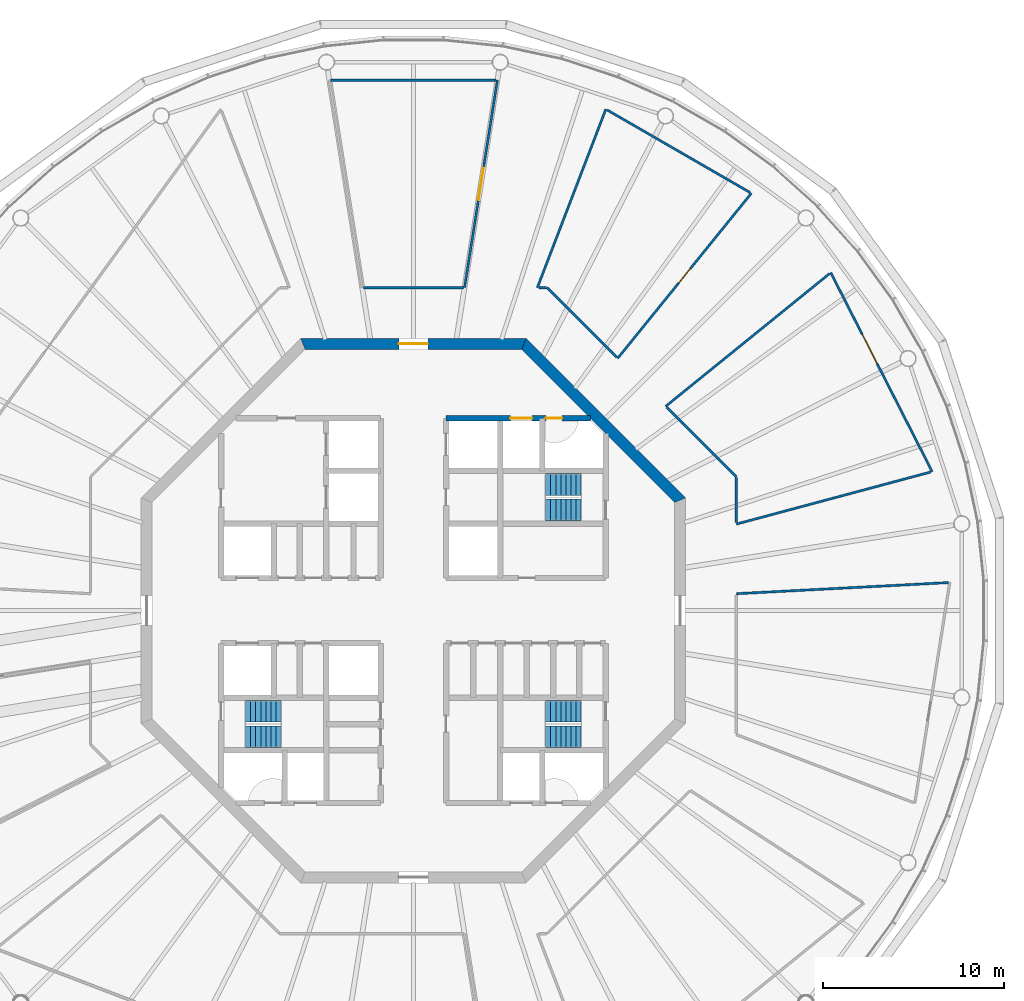
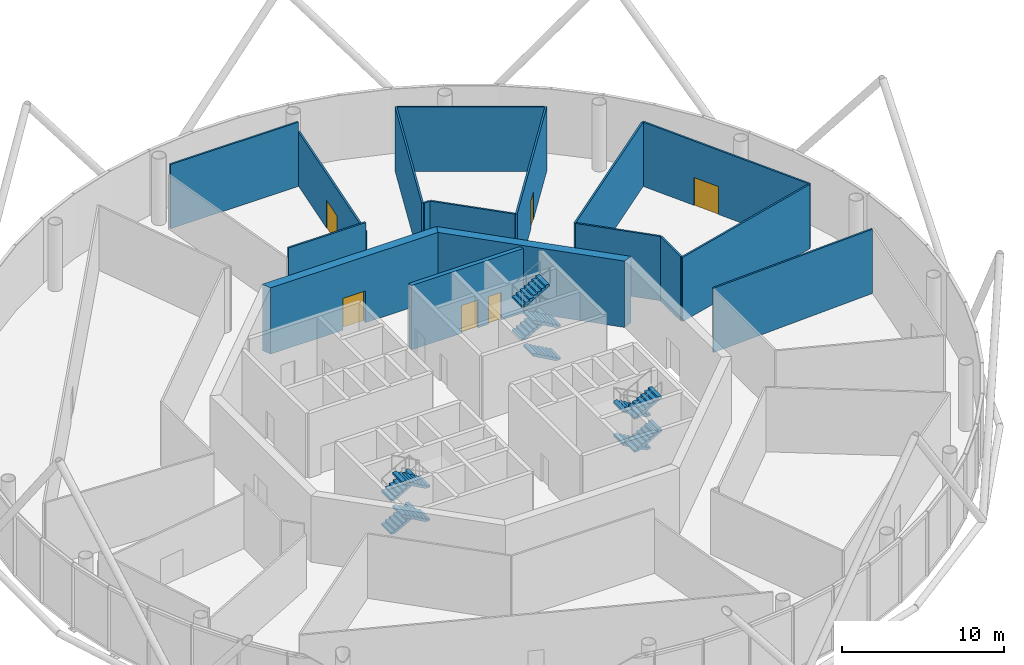
# One storey, part 6 of 13: 17 walls, 12 stair flights, 6 doors, 6 openings, 3 elements without a shape of their own.
"""IFC4 building model written with IfcOpenShell, lengths in metres."""

from ifc_helpers import new_model, si_unit, direction, frame, frame_2d, origin, place, context, subcontext, project, spatial, polyline, rectangle, outline, extrude, material, layer, layer_set, type_object, element, fill, aggregate, save


model = new_model("IFC4")

# Units and contexts
model_context = context("Model", 3, precision=1e-05, world=origin(), true_north=direction((0.0, 1.0)))
body_context = subcontext(model_context, "Body", "Model", "MODEL_VIEW")
ifc_project = project(units=[si_unit("LENGTHUNIT", "METRE"), si_unit("AREAUNIT", "SQUARE_METRE"), si_unit("VOLUMEUNIT", "CUBIC_METRE"), si_unit("PLANEANGLEUNIT", "RADIAN"), si_unit("MASSUNIT", "GRAM", prefix="KILO")], contexts=[model_context])

# Site, building, storey
site_placement = place(None, origin())
site = spatial("IfcSite", under=ifc_project, at=site_placement, CompositionType="ELEMENT")
building_placement = place(site_placement, origin())
building = spatial("IfcBuilding", under=site, at=building_placement, Name="Entoto Ring Tower", CompositionType="ELEMENT")
storey_placement = place(building_placement, frame((0.0, 0.0, 402.0)))
storey = spatial("IfcBuildingStorey", under=building, at=storey_placement, Name="L92", CompositionType="ELEMENT", Elevation=402.0)

# Wall, openings, doors
ifc_material_1 = material(Name="Concrete C40/50", Category="concrete")
ifc_layer_1 = layer(ifc_material_1, 0.300048828125)
ifc_layer_set_1 = layer_set([ifc_layer_1], Name="Concrete C40/50")
wall_type_1 = type_object("IfcWallType", Name="Core enclosure wall 300 mm reinforced concrete", PredefinedType="SOLIDWALL", material=ifc_layer_set_1)
wall_1_placement = place(storey_placement, frame((91.800048828125, 90.60009765625, 0.0), z_axis=(0.0, 0.0, 1.0), x_axis=(1.0, 0.0, 0.0)))
wall_1 = element("IfcWall", 1, at=wall_1_placement, inside=storey, type_object=wall_type_1, Name="wall-L92-041", PredefinedType="SOLIDWALL", context=body_context, shape_type="SweptSolid", body=[
    extrude(rectangle(XDim=7.964599609375, YDim=0.300048828125, at=frame_2d((3.982421875, 0.0))), origin(), (0.0, 0.0, 1.0), 4.85009765625),
])
opening_1_placement = place(wall_1_placement, frame((3.550048828125, 0.0, 0.0)))
opening_1 = element("IfcOpeningElement", 2, at=opening_1_placement, cuts=wall_1, Name="Opening LD", PredefinedType="OPENING", context=body_context, shape_type="SweptSolid", body=[
    extrude(rectangle(XDim=1.199951171875, YDim=2.10009765625, at=frame_2d((0.60009765625, 1.050048828125))), frame((0.0, 0.16015625, 0.0), z_axis=(0.0, -1.0, 0.0), x_axis=(1.0, 0.0, 0.0)), (0.0, 0.0, 1.0), 0.320068359375),
])
opening_2_placement = place(wall_1_placement, frame((5.5, 0.0, 0.0)))
opening_2 = element("IfcOpeningElement", 3, at=opening_2_placement, cuts=wall_1, Name="Opening K-32", PredefinedType="OPENING", context=body_context, shape_type="SweptSolid", body=[
    extrude(rectangle(XDim=0.89990234375, YDim=2.10009765625, at=frame_2d((0.449951171875, 1.050048828125))), frame((0.0, 0.16015625, 0.0), z_axis=(0.0, -1.0, 0.0), x_axis=(1.0, 0.0, 0.0)), (0.0, 0.0, 1.0), 0.320068359375),
])
ifc_material_2 = material(Name="Steel and glass door leaf", Category="steel")
ifc_layer_2 = layer(ifc_material_2, 0.050048828125)
ifc_layer_set_2 = layer_set([ifc_layer_2], Name="Steel and glass door leaf")
door_type_1 = type_object("IfcDoorType", Name="Landing door 1200 x 2100 sliding", OperationType="DOUBLE_DOOR_SLIDING", PredefinedType="DOOR", material=ifc_layer_set_2)
door_1_placement = place(opening_1_placement, origin())
door_1 = element("IfcDoor", 4, at=door_1_placement, inside=storey, type_object=door_type_1, Name="Landing door LB1-HR", OperationType="SLIDING_TO_RIGHT", OverallHeight=2.10009765625, OverallWidth=1.199951171875, PredefinedType="DOOR", context=body_context, shape_type="SweptSolid", body=[
    extrude(rectangle(XDim=1.199951171875, YDim=2.10009765625, at=frame_2d((0.60009765625, 1.050048828125))), frame((0.0, 0.02490234375, 0.0), z_axis=(0.0, -1.0, 0.0), x_axis=(1.0, 0.0, 0.0)), (0.0, 0.0, 1.0), 0.050048828125),
])
fill(opening_1, door_1)
ifc_material_3 = material(Name="Steel door leaf, fire rated", Category="steel")
ifc_layer_3 = layer(ifc_material_3, 0.050048828125)
ifc_layer_set_3 = layer_set([ifc_layer_3], Name="Steel door leaf, fire rated")
door_type_2 = type_object("IfcDoorType", Name="Riser door FD60 900 x 2100 single leaf", OperationType="NOTDEFINED", PredefinedType="DOOR", material=ifc_layer_set_3)
door_2_placement = place(opening_2_placement, frame((0.89990234375, 0.0, 0.0), z_axis=(0.0, 0.0, 1.0), x_axis=(-1.0, 0.0, 0.0)))
door_2 = element("IfcDoor", 5, at=door_2_placement, inside=storey, type_object=door_type_2, Name="Door K-32", OperationType="SINGLE_SWING_LEFT", OverallHeight=2.10009765625, OverallWidth=0.89990234375, PredefinedType="DOOR", context=body_context, shape_type="SweptSolid", body=[
    extrude(rectangle(XDim=0.89990234375, YDim=2.10009765625, at=frame_2d((0.449951171875, 1.050048828125))), frame((0.0, 0.02490234375, 0.0), z_axis=(0.0, -1.0, 0.0), x_axis=(1.0, 0.0, 0.0)), (0.0, 0.0, 1.0), 0.050048828125),
])
fill(opening_2, door_2)

# Wall
ifc_material_4 = material(Name="Concrete C40/50", Category="concrete")
ifc_layer_4 = layer(ifc_material_4, 0.60009765625)
ifc_layer_set_4 = layer_set([ifc_layer_4], Name="Concrete C40/50")
wall_type_2 = type_object("IfcWallType", Name="Core shear wall 600 mm reinforced concrete C40/50", PredefinedType="SHEAR", material=ifc_layer_set_4)
wall_2_placement = place(storey_placement, frame((104.699951171875, 86.0888671875, 0.0), z_axis=(0.0, 0.0, 1.0), x_axis=(-0.707106781187, 0.707106781187, 0.0)))
element("IfcWall", 6, at=wall_2_placement, inside=storey, type_object=wall_type_2, Name="wall-L92-core-1", PredefinedType="SHEAR", context=body_context, shape_type="SweptSolid", body=[
    extrude(outline(polyline([(-0.124267578125, -0.300048828125), (12.30224609375, -0.300048828125), (12.0537109375, 0.300048828125), (0.124267578125, 0.300048828125), (-0.124267578125, -0.300048828125)])), origin(), (0.0, 0.0, 1.0), 5.0),
])

# Wall, opening, door
wall_3_placement = place(storey_placement, frame((96.0888671875, 94.699951171875, 0.0), z_axis=(0.0, 0.0, 1.0), x_axis=(-1.0, 0.0, 0.0)))
wall_3 = element("IfcWall", 7, at=wall_3_placement, inside=storey, type_object=wall_type_2, Name="wall-L92-core-2", PredefinedType="SHEAR", context=body_context, shape_type="SweptSolid", body=[
    extrude(outline(polyline([(-0.124267578125, -0.300048828125), (12.302001953125, -0.300048828125), (12.053466796875, 0.300048828125), (0.124267578125, 0.300048828125), (-0.124267578125, -0.300048828125)])), origin(), (0.0, 0.0, 1.0), 5.0),
])
opening_3_placement = place(wall_3_placement, frame((5.288818359375, 0.0, 0.0)))
opening_3 = element("IfcOpeningElement", 8, at=opening_3_placement, cuts=wall_3, Name="Opening K-02", PredefinedType="OPENING", context=body_context, shape_type="SweptSolid", body=[
    extrude(rectangle(XDim=1.60009765625, YDim=2.39990234375, at=frame_2d((0.800048828125, 1.199951171875))), frame((0.0, 0.31005859375, 0.0), z_axis=(0.0, -1.0, 0.0), x_axis=(1.0, 0.0, 0.0)), (0.0, 0.0, 1.0), 0.6201171875),
])
ifc_material_5 = material(Name="Steel door leaf, fire rated", Category="steel")
ifc_layer_5 = layer(ifc_material_5, 0.050048828125)
ifc_layer_set_5 = layer_set([ifc_layer_5], Name="Steel door leaf, fire rated")
door_type_3 = type_object("IfcDoorType", Name="Entrance door FD60 1600 x 2400 double leaf", OperationType="DOUBLE_DOOR_SINGLE_SWING", PredefinedType="DOOR", material=ifc_layer_set_5)
door_3_placement = place(opening_3_placement, origin())
door_3 = element("IfcDoor", 9, at=door_3_placement, inside=storey, type_object=door_type_3, Name="Entrance door K-02", OperationType="DOUBLE_DOOR_SINGLE_SWING", OverallHeight=2.39990234375, OverallWidth=1.60009765625, PredefinedType="DOOR", context=body_context, shape_type="SweptSolid", body=[
    extrude(rectangle(XDim=1.60009765625, YDim=2.39990234375, at=frame_2d((0.800048828125, 1.199951171875))), frame((0.0, 0.02490234375, 0.0), z_axis=(0.0, -1.0, 0.0), x_axis=(1.0, 0.0, 0.0)), (0.0, 0.0, 1.0), 0.050048828125),
])
fill(opening_3, door_3)

ifc_material_6 = material(Name="Fire-resisting plasterboard on steel studs", Category="steel")
ifc_layer_6 = layer(ifc_material_6, 0.125)
ifc_layer_set_6 = layer_set([ifc_layer_6], Name="Fire-resisting plasterboard on steel studs")
wall_type_3 = type_object("IfcWallType", Name="Corridor wall 125 mm one-hour plasterboard on steel studs", PredefinedType="PARTITIONING", material=ifc_layer_set_6)
wall_4_placement = place(storey_placement, frame((118.59130859375, 87.660888671875, 0.0), z_axis=(0.0, 0.0, 1.0), x_axis=(-0.453984315662, 0.891009675106, 0.0)))
wall_4 = element("IfcWall", 10, at=wall_4_placement, inside=storey, type_object=wall_type_3, Name="partition-L92-005", PredefinedType="PARTITIONING", context=body_context, shape_type="SweptSolid", body=[
    extrude(rectangle(XDim=12.30859375, YDim=0.125, at=frame_2d((6.154296875, 0.0))), origin(), (0.0, 0.0, 1.0), 4.85009765625),
])
opening_4_placement = place(wall_4_placement, frame((6.6953125, 0.0, 0.0)))
opening_4 = element("IfcOpeningElement", 11, at=opening_4_placement, cuts=wall_4, Name="Opening A40-D01", PredefinedType="OPENING", context=body_context, shape_type="SweptSolid", body=[
    extrude(rectangle(XDim=1.800048828125, YDim=2.10009765625, at=frame_2d((0.89990234375, 1.050048828125))), frame((0.0, 0.072509765625, 0.0), z_axis=(0.0, -1.0, 0.0), x_axis=(1.0, 0.0, 0.0)), (0.0, 0.0, 1.0), 0.14501953125),
])
ifc_material_7 = material(Name="Fire-resisting timber door set", Category="wood")
door_type_4 = type_object("IfcDoorType", Name="Door 1800 x 2100 double leaf FD30S fire door", OperationType="DOUBLE_DOOR_SINGLE_SWING", PredefinedType="DOOR", material=ifc_material_7)
door_4_placement = place(opening_4_placement, origin())
door_4 = element("IfcDoor", 12, at=door_4_placement, inside=storey, type_object=door_type_4, Name="Door A40-D01", OperationType="DOUBLE_DOOR_SINGLE_SWING", OverallHeight=2.10009765625, OverallWidth=1.800048828125, PredefinedType="DOOR", context=body_context, shape_type="SweptSolid", body=[
    extrude(rectangle(XDim=1.800048828125, YDim=2.10009765625, at=frame_2d((0.89990234375, 1.050048828125))), frame((0.0, 0.02490234375, 0.0), z_axis=(0.0, -1.0, 0.0), x_axis=(1.0, 0.0, 0.0)), (0.0, 0.0, 1.0), 0.050048828125),
])
fill(opening_4, door_4)

# Wall
wall_5_placement = place(storey_placement, frame((107.800048828125, 80.932861328125, 0.0), z_axis=(0.0, 0.0, 1.0), x_axis=(0.998629278035, 0.052340854513, 0.0)))
element("IfcWall", 13, at=wall_5_placement, inside=storey, type_object=wall_type_3, Name="partition-L92-008", PredefinedType="PARTITIONING", context=body_context, shape_type="SweptSolid", body=[
    extrude(rectangle(XDim=11.698486328125, YDim=0.125, at=frame_2d((5.84912109375, 0.0))), origin(), (0.0, 0.0, 1.0), 4.85009765625),
])

# Wall, opening, door
wall_6_placement = place(storey_placement, frame((101.263671875, 93.909423828125, 0.0), z_axis=(0.0, 0.0, 1.0), x_axis=(0.62932485855, 0.777142343725, 0.0)))
wall_6 = element("IfcWall", 14, at=wall_6_placement, inside=storey, type_object=wall_type_3, Name="partition-L92-010", PredefinedType="PARTITIONING", context=body_context, shape_type="SweptSolid", body=[
    extrude(rectangle(XDim=11.701904296875, YDim=0.125, at=frame_2d((5.85107421875, 0.0))), origin(), (0.0, 0.0, 1.0), 4.85009765625),
])
opening_5_placement = place(wall_6_placement, frame((5.35107421875, 0.0, 0.0)))
opening_5 = element("IfcOpeningElement", 15, at=opening_5_placement, cuts=wall_6, Name="Opening A40-D02", PredefinedType="OPENING", context=body_context, shape_type="SweptSolid", body=[
    extrude(rectangle(XDim=1.0, YDim=2.10009765625, at=frame_2d((0.5, 1.050048828125))), frame((0.0, 0.072509765625, 0.0), z_axis=(0.0, -1.0, 0.0), x_axis=(1.0, 0.0, 0.0)), (0.0, 0.0, 1.0), 0.14501953125),
])
ifc_material_8 = material(Name="Fire-resisting timber door set", Category="wood")
door_type_5 = type_object("IfcDoorType", Name="Door 1000 x 2100 single leaf FD30S fire door", OperationType="NOTDEFINED", PredefinedType="DOOR", material=ifc_material_8)
door_5_placement = place(opening_5_placement, frame((1.0, 0.0, 0.0), z_axis=(0.0, 0.0, 1.0), x_axis=(-1.0, 0.0, 0.0)))
door_5 = element("IfcDoor", 16, at=door_5_placement, inside=storey, type_object=door_type_5, Name="Door A40-D02", OperationType="SINGLE_SWING_LEFT", OverallHeight=2.10009765625, OverallWidth=1.0, PredefinedType="DOOR", context=body_context, shape_type="SweptSolid", body=[
    extrude(rectangle(XDim=1.0, YDim=2.10009765625, at=frame_2d((0.5, 1.050048828125))), frame((0.0, 0.02490234375, 0.0), z_axis=(0.0, -1.0, 0.0), x_axis=(1.0, 0.0, 0.0)), (0.0, 0.0, 1.0), 0.050048828125),
])
fill(opening_5, door_5)

# Walls
wall_7_placement = place(storey_placement, frame((103.909423828125, 91.263671875, 0.0), z_axis=(0.0, 0.0, 1.0), x_axis=(0.777148512501, 0.62931724076, 0.0)))
element("IfcWall", 17, at=wall_7_placement, inside=storey, type_object=wall_type_3, Name="partition-L92-011", PredefinedType="PARTITIONING", context=body_context, shape_type="SweptSolid", body=[
    extrude(rectangle(XDim=11.624755859375, YDim=0.125, at=frame_2d((5.8125, 0.0))), origin(), (0.0, 0.0, 1.0), 4.85009765625),
])
wall_8_placement = place(storey_placement, frame((107.800048828125, 84.76953125, 0.0), z_axis=(0.0, 0.0, 1.0), x_axis=(0.965926737816, 0.258815643215, 0.0)))
element("IfcWall", 18, at=wall_8_placement, inside=storey, type_object=wall_type_3, Name="partition-L92-017", PredefinedType="PARTITIONING", context=body_context, shape_type="SweptSolid", body=[
    extrude(rectangle(XDim=11.094970703125, YDim=0.125, at=frame_2d((5.54736328125, 0.0))), origin(), (0.0, 0.0, 1.0), 4.85009765625),
])
wall_9_placement = place(storey_placement, frame((96.832763671875, 97.800048828125, 0.0), z_axis=(0.0, 0.0, 1.0), x_axis=(0.358367074225, 0.933580762501, 0.0)))
element("IfcWall", 19, at=wall_9_placement, inside=storey, type_object=wall_type_3, Name="partition-L92-021", PredefinedType="PARTITIONING", context=body_context, shape_type="SweptSolid", body=[
    extrude(rectangle(XDim=10.53369140625, YDim=0.125, at=frame_2d((5.266845703125, 0.0))), origin(), (0.0, 0.0, 1.0), 4.85009765625),
])
wall_10_placement = place(storey_placement, frame((108.564697265625, 103.0400390625, 0.0), z_axis=(0.0, 0.0, 1.0), x_axis=(-0.866030811405, 0.49999063361, 0.0)))
element("IfcWall", 20, at=wall_10_placement, inside=storey, type_object=wall_type_3, Name="partition-L92-025", PredefinedType="PARTITIONING", context=body_context, shape_type="SweptSolid", body=[
    extrude(rectangle(XDim=9.114990234375, YDim=0.125, at=frame_2d((4.5576171875, 0.0))), origin(), (0.0, 0.0, 1.0), 4.85009765625),
])
wall_11_placement = place(storey_placement, frame((85.442626953125, 109.235595703125, 0.0), z_axis=(0.0, 0.0, 1.0), x_axis=(1.0, 0.0, 0.0)))
element("IfcWall", 21, at=wall_11_placement, inside=storey, type_object=wall_type_3, Name="partition-L92-027", PredefinedType="PARTITIONING", context=body_context, shape_type="SweptSolid", body=[
    extrude(rectangle(XDim=9.11474609375, YDim=0.125, at=frame_2d((4.557373046875, 0.0))), origin(), (0.0, 0.0, 1.0), 4.85009765625),
])
wall_12_placement = place(storey_placement, frame((87.242431640625, 97.800048828125, 0.0), z_axis=(0.0, 0.0, 1.0), x_axis=(1.0, 0.0, 0.0)))
element("IfcWall", 22, at=wall_12_placement, inside=storey, type_object=wall_type_3, Name="partition-L92-031", PredefinedType="PARTITIONING", context=body_context, shape_type="SweptSolid", body=[
    extrude(rectangle(XDim=5.51513671875, YDim=0.125, at=frame_2d((2.757568359375, 0.0))), origin(), (0.0, 0.0, 1.0), 4.85009765625),
])
for number, where, z_axis, x_axis, name in (
    (23, (101.214599609375, 93.95849609375, 0.0), (0.0, 0.0, 1.0), (-0.707106781187, 0.707106781187, 0.0), "partition-L92-032"),
    (24, (107.800048828125, 87.373046875, 0.0), (0.0, 0.0, 1.0), (-0.707106781187, 0.707106781187, 0.0), "partition-L92-033"),
):
    element("IfcWall", number, at=place(storey_placement, frame(where, z_axis=z_axis, x_axis=x_axis)), inside=storey, type_object=wall_type_3, Name=name, PredefinedType="PARTITIONING", context=body_context, shape_type="SweptSolid", body=[
        extrude(rectangle(XDim=5.432861328125, YDim=0.125, at=frame_2d((2.71630859375, 0.0))), origin(), (0.0, 0.0, 1.0), 4.85009765625),
    ])
wall_13_placement = place(storey_placement, frame((107.800048828125, 84.850830078125, 0.0), z_axis=(0.0, 0.0, 1.0), x_axis=(0.0, 1.0, 0.0)))
element("IfcWall", 25, at=wall_13_placement, inside=storey, type_object=wall_type_3, Name="partition-L92-035", PredefinedType="PARTITIONING", context=body_context, shape_type="SweptSolid", body=[
    extrude(rectangle(XDim=2.478271484375, YDim=0.125, at=frame_2d((1.2392578125, 0.0))), origin(), (0.0, 0.0, 1.0), 4.85009765625),
])
wall_14_placement = place(storey_placement, frame((96.923583984375, 97.800048828125, 0.0), z_axis=(0.0, 0.0, 1.0), x_axis=(1.0, 0.0, 0.0)))
element("IfcWall", 26, at=wall_14_placement, inside=storey, type_object=wall_type_3, Name="partition-L92-039", PredefinedType="PARTITIONING", context=body_context, shape_type="SweptSolid", body=[
    extrude(rectangle(XDim=0.405517578125, YDim=0.125, at=frame_2d((0.20263671875, 0.0))), origin(), (0.0, 0.0, 1.0), 4.85009765625),
])

# Wall, opening, door
ifc_material_9 = material(Name="Fire-resisting plasterboard on steel studs", Category="steel")
ifc_layer_7 = layer(ifc_material_9, 0.125)
ifc_layer_set_7 = layer_set([ifc_layer_7], Name="Fire-resisting plasterboard on steel studs")
wall_type_4 = type_object("IfcWallType", Name="Corridor wall 125 mm one-hour plasterboard on steel studs, 4097 mm high", PredefinedType="PARTITIONING", material=ifc_layer_set_7)
wall_15_placement = place(storey_placement, frame((92.819091796875, 97.800048828125, 0.0), z_axis=(0.0, 0.0, 1.0), x_axis=(0.156460647203, 0.987684193392, 0.0)))
wall_15 = element("IfcWall", 27, at=wall_15_placement, inside=storey, type_object=wall_type_4, Name="partition-L92-014", PredefinedType="PARTITIONING", context=body_context, shape_type="SweptSolid", body=[
    extrude(rectangle(XDim=11.578125, YDim=0.125, at=frame_2d((5.7890625, 0.0))), origin(), (0.0, 0.0, 1.0), 4.096923828125),
])
opening_6_placement = place(wall_15_placement, frame((4.88916015625, 0.0, 0.0)))
opening_6 = element("IfcOpeningElement", 28, at=opening_6_placement, cuts=wall_15, Name="Opening A40-D03", PredefinedType="OPENING", context=body_context, shape_type="SweptSolid", body=[
    extrude(rectangle(XDim=1.800048828125, YDim=2.10009765625, at=frame_2d((0.89990234375, 1.050048828125))), frame((0.0, 0.072509765625, 0.0), z_axis=(0.0, -1.0, 0.0), x_axis=(1.0, 0.0, 0.0)), (0.0, 0.0, 1.0), 0.14501953125),
])
door_6_placement = place(opening_6_placement, frame((1.800048828125, 0.0, 0.0), z_axis=(0.0, 0.0, 1.0), x_axis=(-1.0, 0.0, 0.0)))
door_6 = element("IfcDoor", 29, at=door_6_placement, inside=storey, type_object=door_type_4, Name="Door A40-D03", OperationType="DOUBLE_DOOR_SINGLE_SWING", OverallHeight=2.10009765625, OverallWidth=1.800048828125, PredefinedType="DOOR", context=body_context, shape_type="SweptSolid", body=[
    extrude(rectangle(XDim=1.800048828125, YDim=2.10009765625, at=frame_2d((0.89990234375, 1.050048828125))), frame((0.0, 0.02490234375, 0.0), z_axis=(0.0, -1.0, 0.0), x_axis=(1.0, 0.0, 0.0)), (0.0, 0.0, 1.0), 0.050048828125),
])
fill(opening_6, door_6)

# Stair, stair flights
ifc_material_10 = material(Name="Concrete C40/50", Category="concrete")
stair_type = type_object("IfcStairType", Name="Exit stair 1200 mm dog-leg reinforced concrete", PredefinedType="HALF_TURN_STAIR", material=ifc_material_10)
stair_1_placement = place(storey_placement, origin())
stair_1 = element("IfcStair", 30, at=stair_1_placement, inside=storey, type_object=stair_type, Name="Exit stair 1", PredefinedType="HALF_TURN_STAIR")
ifc_material_11 = material(Name="Concrete C40/50", Category="concrete")
stair_flight_type = type_object("IfcStairFlightType", Name="Stair flight 1200 mm reinforced concrete", PredefinedType="STRAIGHT", material=ifc_material_11)
stair_flight_1_placement = place(storey_placement, frame((99.25, 85.550048828125, 0.0), z_axis=(0.0, 0.0, 1.0), x_axis=(-1.0, 0.0, 0.0)))
stair_flight_1 = element("IfcStairFlight", 31, at=stair_flight_1_placement, type_object=stair_flight_type, Name="ST1 flight 1", NumberOfRisers=8, NumberOfTreads=7, PredefinedType="STRAIGHT", RiserHeight=0.15625, TreadLength=0.28, context=body_context, shape_type="SweptSolid", body=[
    extrude(outline(polyline([(0.0, 0.0), (0.0, 0.052001953125), (0.0, 0.104248046875), (0.0, 0.15625), (0.280029296875, 0.15625), (0.280029296875, 0.3125), (0.56005859375, 0.3125), (0.56005859375, 0.46875), (0.840087890625, 0.46875), (0.840087890625, 0.625), (1.1201171875, 0.625), (1.1201171875, 0.78125), (1.39990234375, 0.78125), (1.39990234375, 0.9375), (1.679931640625, 0.9375), (1.679931640625, 1.09375), (1.9599609375, 1.09375), (1.9599609375, 1.25), (1.9599609375, 1.140625), (1.9599609375, 1.031494140625), (1.9599609375, 0.922119140625), (0.3076171875, 0.0), (0.0, 0.0)])), frame((0.0, 0.60009765625, 0.0), z_axis=(0.0, -1.0, 0.0), x_axis=(1.0, 0.0, 0.0)), (0.0, 0.0, 1.0), 1.199951171875),
])
stair_flight_2_placement = place(storey_placement, frame((97.2900390625, 86.949951171875, 1.25), z_axis=(0.0, 0.0, 1.0), x_axis=(1.0, 0.0, 0.0)))
stair_flight_2 = element("IfcStairFlight", 32, at=stair_flight_2_placement, type_object=stair_flight_type, Name="ST1 flight 2", NumberOfRisers=8, NumberOfTreads=7, PredefinedType="STRAIGHT", RiserHeight=0.15625, TreadLength=0.28, context=body_context, shape_type="SweptSolid", body=[
    extrude(outline(polyline([(0.0, 0.0), (0.0, 0.052001953125), (0.0, 0.104248046875), (0.0, 0.15625), (0.280029296875, 0.15625), (0.280029296875, 0.3125), (0.56005859375, 0.3125), (0.56005859375, 0.46875), (0.840087890625, 0.46875), (0.840087890625, 0.625), (1.1201171875, 0.625), (1.1201171875, 0.78125), (1.39990234375, 0.78125), (1.39990234375, 0.9375), (1.679931640625, 0.9375), (1.679931640625, 1.09375), (1.9599609375, 1.09375), (1.9599609375, 1.25), (1.9599609375, 1.140625), (1.9599609375, 1.031494140625), (1.9599609375, 0.922119140625), (0.3076171875, 0.0), (0.0, 0.0)])), frame((0.0, 0.60009765625, 0.0), z_axis=(0.0, -1.0, 0.0), x_axis=(1.0, 0.0, 0.0)), (0.0, 0.0, 1.0), 1.199951171875),
])
stair_flight_3_placement = place(storey_placement, frame((99.25, 85.550048828125, 2.5), z_axis=(0.0, 0.0, 1.0), x_axis=(-1.0, 0.0, 0.0)))
stair_flight_3 = element("IfcStairFlight", 33, at=stair_flight_3_placement, type_object=stair_flight_type, Name="ST1 flight 3", NumberOfRisers=8, NumberOfTreads=7, PredefinedType="STRAIGHT", RiserHeight=0.15625, TreadLength=0.28, context=body_context, shape_type="SweptSolid", body=[
    extrude(outline(polyline([(0.0, 0.0), (0.0, 0.052001953125), (0.0, 0.104248046875), (0.0, 0.15625), (0.280029296875, 0.15625), (0.280029296875, 0.3125), (0.56005859375, 0.3125), (0.56005859375, 0.46875), (0.840087890625, 0.46875), (0.840087890625, 0.625), (1.1201171875, 0.625), (1.1201171875, 0.78125), (1.39990234375, 0.78125), (1.39990234375, 0.9375), (1.679931640625, 0.9375), (1.679931640625, 1.09375), (1.9599609375, 1.09375), (1.9599609375, 1.25), (1.9599609375, 1.140625), (1.9599609375, 1.031494140625), (1.9599609375, 0.922119140625), (0.3076171875, 0.0), (0.0, 0.0)])), frame((0.0, 0.60009765625, 0.0), z_axis=(0.0, -1.0, 0.0), x_axis=(1.0, 0.0, 0.0)), (0.0, 0.0, 1.0), 1.199951171875),
])
stair_flight_4_placement = place(storey_placement, frame((97.2900390625, 86.949951171875, 3.75), z_axis=(0.0, 0.0, 1.0), x_axis=(1.0, 0.0, 0.0)))
stair_flight_4 = element("IfcStairFlight", 34, at=stair_flight_4_placement, type_object=stair_flight_type, Name="ST1 flight 4", NumberOfRisers=8, NumberOfTreads=7, PredefinedType="STRAIGHT", RiserHeight=0.15625, TreadLength=0.28, context=body_context, shape_type="SweptSolid", body=[
    extrude(outline(polyline([(0.0, 0.0), (0.0, 0.052001953125), (0.0, 0.104248046875), (0.0, 0.15625), (0.280029296875, 0.15625), (0.280029296875, 0.3125), (0.56005859375, 0.3125), (0.56005859375, 0.46875), (0.840087890625, 0.46875), (0.840087890625, 0.625), (1.1201171875, 0.625), (1.1201171875, 0.78125), (1.39990234375, 0.78125), (1.39990234375, 0.9375), (1.679931640625, 0.9375), (1.679931640625, 1.09375), (1.9599609375, 1.09375), (1.9599609375, 1.25), (1.9599609375, 1.140625), (1.9599609375, 1.031494140625), (1.9599609375, 0.922119140625), (0.3076171875, 0.0), (0.0, 0.0)])), frame((0.0, 0.60009765625, 0.0), z_axis=(0.0, -1.0, 0.0), x_axis=(1.0, 0.0, 0.0)), (0.0, 0.0, 1.0), 1.199951171875),
])
aggregate(stair_1, [stair_flight_1, stair_flight_2, stair_flight_3, stair_flight_4])

stair_2_placement = place(storey_placement, origin())
stair_2 = element("IfcStair", 35, at=stair_2_placement, inside=storey, type_object=stair_type, Name="Exit stair 2", PredefinedType="HALF_TURN_STAIR")
stair_flight_5_placement = place(storey_placement, frame((80.75, 74.449951171875, 0.0), z_axis=(0.0, 0.0, 1.0), x_axis=(1.0, 0.0, 0.0)))
stair_flight_5 = element("IfcStairFlight", 36, at=stair_flight_5_placement, type_object=stair_flight_type, Name="ST2 flight 1", NumberOfRisers=8, NumberOfTreads=7, PredefinedType="STRAIGHT", RiserHeight=0.15625, TreadLength=0.28, context=body_context, shape_type="SweptSolid", body=[
    extrude(outline(polyline([(0.0, 0.0), (0.0, 0.052001953125), (0.0, 0.104248046875), (0.0, 0.15625), (0.280029296875, 0.15625), (0.280029296875, 0.3125), (0.56005859375, 0.3125), (0.56005859375, 0.46875), (0.840087890625, 0.46875), (0.840087890625, 0.625), (1.1201171875, 0.625), (1.1201171875, 0.78125), (1.39990234375, 0.78125), (1.39990234375, 0.9375), (1.679931640625, 0.9375), (1.679931640625, 1.09375), (1.9599609375, 1.09375), (1.9599609375, 1.25), (1.9599609375, 1.140625), (1.9599609375, 1.031494140625), (1.9599609375, 0.922119140625), (0.3076171875, 0.0), (0.0, 0.0)])), frame((0.0, 0.60009765625, 0.0), z_axis=(0.0, -1.0, 0.0), x_axis=(1.0, 0.0, 0.0)), (0.0, 0.0, 1.0), 1.199951171875),
])
stair_flight_6_placement = place(storey_placement, frame((82.7099609375, 73.050048828125, 1.25), z_axis=(0.0, 0.0, 1.0), x_axis=(-1.0, 0.0, 0.0)))
stair_flight_6 = element("IfcStairFlight", 37, at=stair_flight_6_placement, type_object=stair_flight_type, Name="ST2 flight 2", NumberOfRisers=8, NumberOfTreads=7, PredefinedType="STRAIGHT", RiserHeight=0.15625, TreadLength=0.28, context=body_context, shape_type="SweptSolid", body=[
    extrude(outline(polyline([(0.0, 0.0), (0.0, 0.052001953125), (0.0, 0.104248046875), (0.0, 0.15625), (0.280029296875, 0.15625), (0.280029296875, 0.3125), (0.56005859375, 0.3125), (0.56005859375, 0.46875), (0.840087890625, 0.46875), (0.840087890625, 0.625), (1.1201171875, 0.625), (1.1201171875, 0.78125), (1.39990234375, 0.78125), (1.39990234375, 0.9375), (1.679931640625, 0.9375), (1.679931640625, 1.09375), (1.9599609375, 1.09375), (1.9599609375, 1.25), (1.9599609375, 1.140625), (1.9599609375, 1.031494140625), (1.9599609375, 0.922119140625), (0.3076171875, 0.0), (0.0, 0.0)])), frame((0.0, 0.60009765625, 0.0), z_axis=(0.0, -1.0, 0.0), x_axis=(1.0, 0.0, 0.0)), (0.0, 0.0, 1.0), 1.199951171875),
])
stair_flight_7_placement = place(storey_placement, frame((80.75, 74.449951171875, 2.5), z_axis=(0.0, 0.0, 1.0), x_axis=(1.0, 0.0, 0.0)))
stair_flight_7 = element("IfcStairFlight", 38, at=stair_flight_7_placement, type_object=stair_flight_type, Name="ST2 flight 3", NumberOfRisers=8, NumberOfTreads=7, PredefinedType="STRAIGHT", RiserHeight=0.15625, TreadLength=0.28, context=body_context, shape_type="SweptSolid", body=[
    extrude(outline(polyline([(0.0, 0.0), (0.0, 0.052001953125), (0.0, 0.104248046875), (0.0, 0.15625), (0.280029296875, 0.15625), (0.280029296875, 0.3125), (0.56005859375, 0.3125), (0.56005859375, 0.46875), (0.840087890625, 0.46875), (0.840087890625, 0.625), (1.1201171875, 0.625), (1.1201171875, 0.78125), (1.39990234375, 0.78125), (1.39990234375, 0.9375), (1.679931640625, 0.9375), (1.679931640625, 1.09375), (1.9599609375, 1.09375), (1.9599609375, 1.25), (1.9599609375, 1.140625), (1.9599609375, 1.031494140625), (1.9599609375, 0.922119140625), (0.3076171875, 0.0), (0.0, 0.0)])), frame((0.0, 0.60009765625, 0.0), z_axis=(0.0, -1.0, 0.0), x_axis=(1.0, 0.0, 0.0)), (0.0, 0.0, 1.0), 1.199951171875),
])
stair_flight_8_placement = place(storey_placement, frame((82.7099609375, 73.050048828125, 3.75), z_axis=(0.0, 0.0, 1.0), x_axis=(-1.0, 0.0, 0.0)))
stair_flight_8 = element("IfcStairFlight", 39, at=stair_flight_8_placement, type_object=stair_flight_type, Name="ST2 flight 4", NumberOfRisers=8, NumberOfTreads=7, PredefinedType="STRAIGHT", RiserHeight=0.15625, TreadLength=0.28, context=body_context, shape_type="SweptSolid", body=[
    extrude(outline(polyline([(0.0, 0.0), (0.0, 0.052001953125), (0.0, 0.104248046875), (0.0, 0.15625), (0.280029296875, 0.15625), (0.280029296875, 0.3125), (0.56005859375, 0.3125), (0.56005859375, 0.46875), (0.840087890625, 0.46875), (0.840087890625, 0.625), (1.1201171875, 0.625), (1.1201171875, 0.78125), (1.39990234375, 0.78125), (1.39990234375, 0.9375), (1.679931640625, 0.9375), (1.679931640625, 1.09375), (1.9599609375, 1.09375), (1.9599609375, 1.25), (1.9599609375, 1.140625), (1.9599609375, 1.031494140625), (1.9599609375, 0.922119140625), (0.3076171875, 0.0), (0.0, 0.0)])), frame((0.0, 0.60009765625, 0.0), z_axis=(0.0, -1.0, 0.0), x_axis=(1.0, 0.0, 0.0)), (0.0, 0.0, 1.0), 1.199951171875),
])
aggregate(stair_2, [stair_flight_5, stair_flight_6, stair_flight_7, stair_flight_8])

stair_3_placement = place(storey_placement, origin())
stair_3 = element("IfcStair", 40, at=stair_3_placement, inside=storey, type_object=stair_type, Name="Exit stair 3", PredefinedType="HALF_TURN_STAIR")
stair_flight_9_placement = place(storey_placement, frame((99.25, 74.449951171875, 0.0), z_axis=(0.0, 0.0, 1.0), x_axis=(-1.0, 0.0, 0.0)))
stair_flight_9 = element("IfcStairFlight", 41, at=stair_flight_9_placement, type_object=stair_flight_type, Name="ST3 flight 1", NumberOfRisers=8, NumberOfTreads=7, PredefinedType="STRAIGHT", RiserHeight=0.15625, TreadLength=0.28, context=body_context, shape_type="SweptSolid", body=[
    extrude(outline(polyline([(0.0, 0.0), (0.0, 0.052001953125), (0.0, 0.104248046875), (0.0, 0.15625), (0.280029296875, 0.15625), (0.280029296875, 0.3125), (0.56005859375, 0.3125), (0.56005859375, 0.46875), (0.840087890625, 0.46875), (0.840087890625, 0.625), (1.1201171875, 0.625), (1.1201171875, 0.78125), (1.39990234375, 0.78125), (1.39990234375, 0.9375), (1.679931640625, 0.9375), (1.679931640625, 1.09375), (1.9599609375, 1.09375), (1.9599609375, 1.25), (1.9599609375, 1.140625), (1.9599609375, 1.031494140625), (1.9599609375, 0.922119140625), (0.3076171875, 0.0), (0.0, 0.0)])), frame((0.0, 0.60009765625, 0.0), z_axis=(0.0, -1.0, 0.0), x_axis=(1.0, 0.0, 0.0)), (0.0, 0.0, 1.0), 1.199951171875),
])
stair_flight_10_placement = place(storey_placement, frame((97.2900390625, 73.050048828125, 1.25), z_axis=(0.0, 0.0, 1.0), x_axis=(1.0, 0.0, 0.0)))
stair_flight_10 = element("IfcStairFlight", 42, at=stair_flight_10_placement, type_object=stair_flight_type, Name="ST3 flight 2", NumberOfRisers=8, NumberOfTreads=7, PredefinedType="STRAIGHT", RiserHeight=0.15625, TreadLength=0.28, context=body_context, shape_type="SweptSolid", body=[
    extrude(outline(polyline([(0.0, 0.0), (0.0, 0.052001953125), (0.0, 0.104248046875), (0.0, 0.15625), (0.280029296875, 0.15625), (0.280029296875, 0.3125), (0.56005859375, 0.3125), (0.56005859375, 0.46875), (0.840087890625, 0.46875), (0.840087890625, 0.625), (1.1201171875, 0.625), (1.1201171875, 0.78125), (1.39990234375, 0.78125), (1.39990234375, 0.9375), (1.679931640625, 0.9375), (1.679931640625, 1.09375), (1.9599609375, 1.09375), (1.9599609375, 1.25), (1.9599609375, 1.140625), (1.9599609375, 1.031494140625), (1.9599609375, 0.922119140625), (0.3076171875, 0.0), (0.0, 0.0)])), frame((0.0, 0.60009765625, 0.0), z_axis=(0.0, -1.0, 0.0), x_axis=(1.0, 0.0, 0.0)), (0.0, 0.0, 1.0), 1.199951171875),
])
stair_flight_11_placement = place(storey_placement, frame((99.25, 74.449951171875, 2.5), z_axis=(0.0, 0.0, 1.0), x_axis=(-1.0, 0.0, 0.0)))
stair_flight_11 = element("IfcStairFlight", 43, at=stair_flight_11_placement, type_object=stair_flight_type, Name="ST3 flight 3", NumberOfRisers=8, NumberOfTreads=7, PredefinedType="STRAIGHT", RiserHeight=0.15625, TreadLength=0.28, context=body_context, shape_type="SweptSolid", body=[
    extrude(outline(polyline([(0.0, 0.0), (0.0, 0.052001953125), (0.0, 0.104248046875), (0.0, 0.15625), (0.280029296875, 0.15625), (0.280029296875, 0.3125), (0.56005859375, 0.3125), (0.56005859375, 0.46875), (0.840087890625, 0.46875), (0.840087890625, 0.625), (1.1201171875, 0.625), (1.1201171875, 0.78125), (1.39990234375, 0.78125), (1.39990234375, 0.9375), (1.679931640625, 0.9375), (1.679931640625, 1.09375), (1.9599609375, 1.09375), (1.9599609375, 1.25), (1.9599609375, 1.140625), (1.9599609375, 1.031494140625), (1.9599609375, 0.922119140625), (0.3076171875, 0.0), (0.0, 0.0)])), frame((0.0, 0.60009765625, 0.0), z_axis=(0.0, -1.0, 0.0), x_axis=(1.0, 0.0, 0.0)), (0.0, 0.0, 1.0), 1.199951171875),
])
stair_flight_12_placement = place(storey_placement, frame((97.2900390625, 73.050048828125, 3.75), z_axis=(0.0, 0.0, 1.0), x_axis=(1.0, 0.0, 0.0)))
stair_flight_12 = element("IfcStairFlight", 44, at=stair_flight_12_placement, type_object=stair_flight_type, Name="ST3 flight 4", NumberOfRisers=8, NumberOfTreads=7, PredefinedType="STRAIGHT", RiserHeight=0.15625, TreadLength=0.28, context=body_context, shape_type="SweptSolid", body=[
    extrude(outline(polyline([(0.0, 0.0), (0.0, 0.052001953125), (0.0, 0.104248046875), (0.0, 0.15625), (0.280029296875, 0.15625), (0.280029296875, 0.3125), (0.56005859375, 0.3125), (0.56005859375, 0.46875), (0.840087890625, 0.46875), (0.840087890625, 0.625), (1.1201171875, 0.625), (1.1201171875, 0.78125), (1.39990234375, 0.78125), (1.39990234375, 0.9375), (1.679931640625, 0.9375), (1.679931640625, 1.09375), (1.9599609375, 1.09375), (1.9599609375, 1.25), (1.9599609375, 1.140625), (1.9599609375, 1.031494140625), (1.9599609375, 0.922119140625), (0.3076171875, 0.0), (0.0, 0.0)])), frame((0.0, 0.60009765625, 0.0), z_axis=(0.0, -1.0, 0.0), x_axis=(1.0, 0.0, 0.0)), (0.0, 0.0, 1.0), 1.199951171875),
])
aggregate(stair_3, [stair_flight_9, stair_flight_10, stair_flight_11, stair_flight_12])

save(model, "model.ifc")
